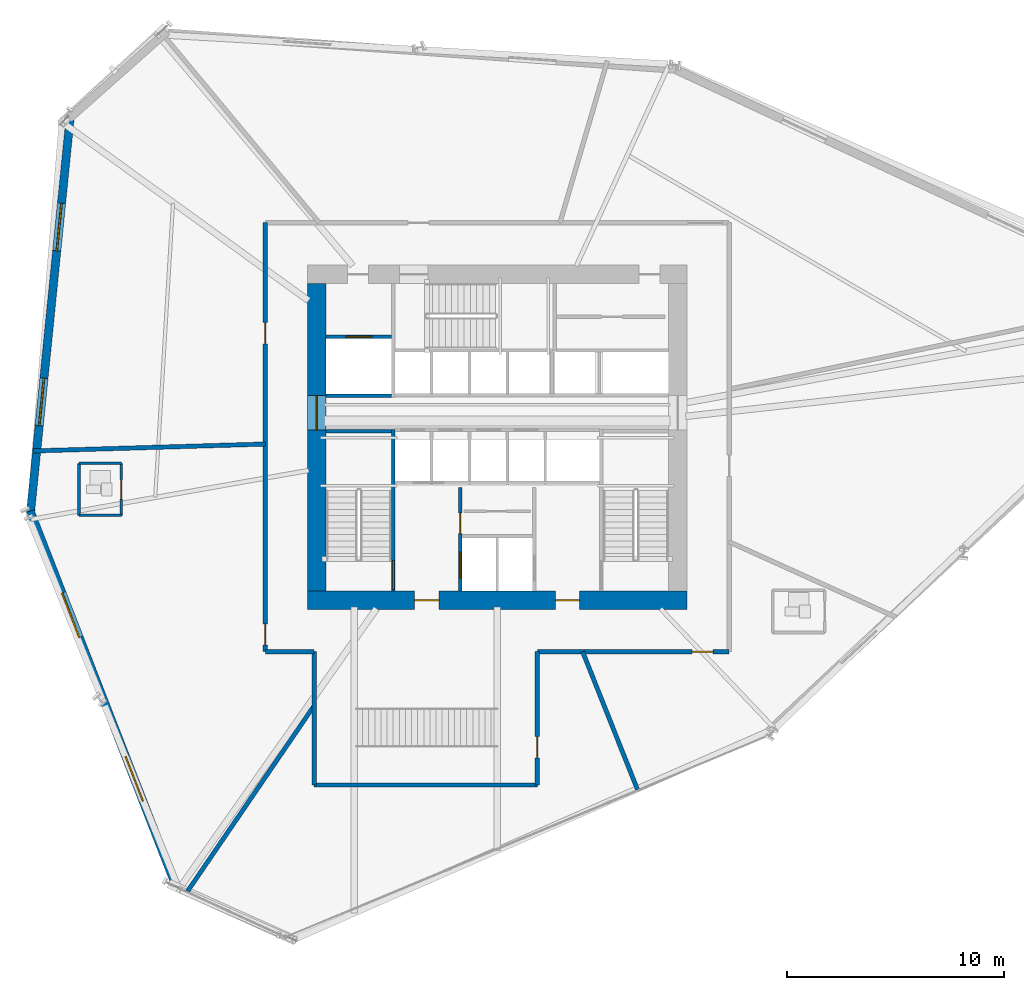
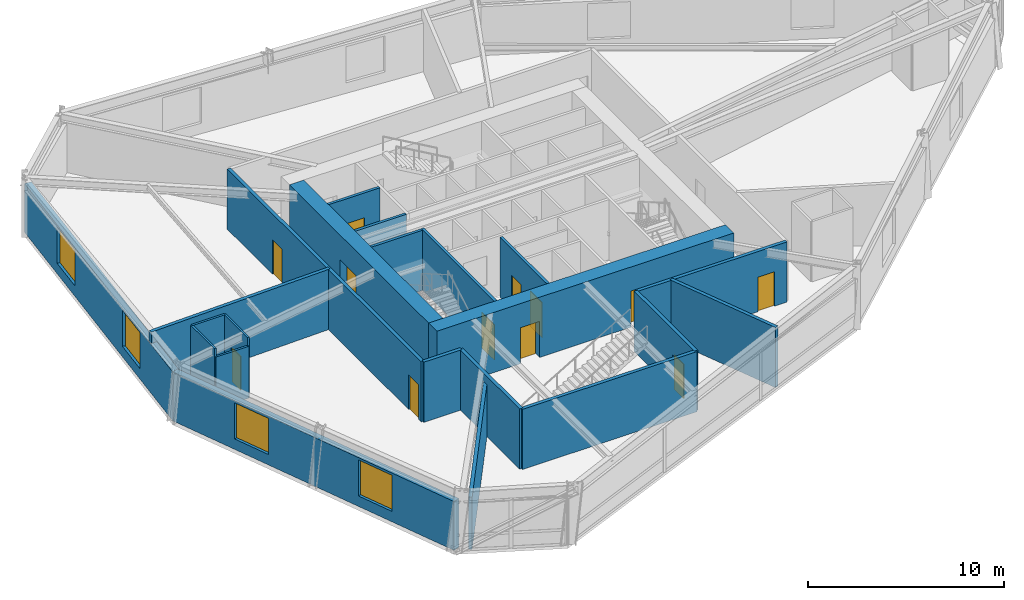
# One storey, part 13 of 19: 22 walls, 12 doors, 4 windows, 16 openings.
"""IFC4 building model written with IfcOpenShell, lengths in metres."""

import ifcopenshell
import ifcopenshell.guid

model = None  # the IFC model being written
_history = None  # IfcOwnerHistory: only IFC2X3 demands one
_inside = {}  # id of a spatial element -> (the spatial element, [elements in it])
_under = {}  # id of a project, library or spatial element -> (it, [spatial elements below it])
_declared = {}  # id of a project -> (the project, [libraries it declares])
_typed = {}  # id of a type object -> (the type object, [elements of that type])
_made_of = {}  # id of a material, layer set ... -> (it, [elements and type objects made of it])


def new_model(schema):
    """Start an empty IFC model of exactly this schema.

    Asked for "IFC4X3", IfcOpenShell would pick the latest addendum, in which some entities
    have other attributes; the version numbers below select the first issue.
    IFC2X3 requires an IfcOwnerHistory on every rooted entity: one is made here for all.
    """
    global model, _history
    if schema == "IFC4X3":
        model = ifcopenshell.file(schema_version=(4, 3, 0, 0))
    else:
        model = ifcopenshell.file(schema=schema)
    _inside.clear()
    _under.clear()
    _declared.clear()
    _typed.clear()
    _made_of.clear()
    _history = None
    if model.schema == "IFC2X3":
        org = make("IfcOrganization", Name="unknown")
        user = make(
            "IfcPersonAndOrganization",
            ThePerson=make("IfcPerson", FamilyName="unknown"),
            TheOrganization=org,
        )
        app = make(
            "IfcApplication",
            ApplicationDeveloper=org,
            Version="unknown",
            ApplicationFullName="unknown",
            ApplicationIdentifier="unknown",
        )
        _history = make(
            "IfcOwnerHistory",
            OwningUser=user,
            OwningApplication=app,
            ChangeAction="ADDED",
            CreationDate=0,
        )
    return model


def make(cls, **values):
    """One entity of the class cls with the attributes given. An attribute that is None is left unset."""
    return model.create_entity(
        cls, **{name: value for name, value in values.items() if value is not None}
    )


def rooted(cls, **values):
    """An entity with a GlobalId (a new one), such as an element, a storey or a relation."""
    return make(cls, GlobalId=ifcopenshell.guid.new(), OwnerHistory=_history, **values)


def si_unit(unit_type, name, prefix=None):
    """IfcSIUnit, for example si_unit("LENGTHUNIT", "METRE", prefix="MILLI")."""
    return make("IfcSIUnit", UnitType=unit_type, Prefix=prefix, Name=name)


def assignment(units):
    """IfcUnitAssignment: the units of a project."""
    return None if units is None else make("IfcUnitAssignment", Units=units)


def point(xyz):
    """IfcCartesianPoint."""
    return None if xyz is None else make("IfcCartesianPoint", Coordinates=xyz)


def direction(xyz):
    """IfcDirection."""
    return None if xyz is None else make("IfcDirection", DirectionRatios=xyz)


def frame(location, z_axis=None, x_axis=None):
    """IfcAxis2Placement3D, a coordinate frame: its origin and axes. An axis left out is left unset."""
    return make(
        "IfcAxis2Placement3D",
        Location=point(location),
        Axis=direction(z_axis),
        RefDirection=direction(x_axis),
    )


def frame_2d(location, x_axis=None):
    """IfcAxis2Placement2D, a coordinate frame in the plane: its origin and x axis."""
    return make(
        "IfcAxis2Placement2D", Location=point(location), RefDirection=direction(x_axis)
    )


def origin():
    """The frame at (0, 0, 0) with its axes left unset."""
    return frame((0.0, 0.0, 0.0))


def place(relative_to, where):
    """IfcLocalPlacement: puts the frame where relative to a parent placement (None: the world)."""
    return make(
        "IfcLocalPlacement", PlacementRelTo=relative_to, RelativePlacement=where
    )


def context(
    kind, dimensions, precision=None, world=None, true_north=None, identifier=None
):
    """IfcGeometricRepresentationContext, for example the 3D "Model" context."""
    return make(
        "IfcGeometricRepresentationContext",
        ContextIdentifier=identifier,
        ContextType=kind,
        CoordinateSpaceDimension=dimensions,
        Precision=precision,
        WorldCoordinateSystem=world,
        TrueNorth=true_north,
    )


def subcontext(parent, identifier, kind, view, scale=None):
    """IfcGeometricRepresentationSubContext, for example "Body" below "Model"."""
    return make(
        "IfcGeometricRepresentationSubContext",
        ContextIdentifier=identifier,
        ContextType=kind,
        ParentContext=parent,
        TargetScale=scale,
        TargetView=view,
    )


def project(units=None, contexts=None):
    """IfcProject with its units and contexts."""
    return rooted(
        "IfcProject",
        Name="project",
        RepresentationContexts=contexts,
        UnitsInContext=assignment(units),
    )


def spatial(cls, under=None, at=None, **own):
    """A site, building, storey or space (cls), placed at a placement, below another one or the project."""
    s = rooted(cls, ObjectPlacement=at, **own)
    if under is not None:
        _under.setdefault(under.id(), (under, []))[1].append(s)
    return s


def profile(cls, at=None, kind="AREA", **sizes):
    """A parametric profile (cls). Its sizes go by their IFC names, for example OverallWidth=200.0."""
    return make(cls, ProfileType=kind, Position=at, **sizes)


def rectangle(**sizes):
    """IfcRectangleProfileDef."""
    return profile("IfcRectangleProfileDef", **sizes)


def extrude(swept, where, along, depth):
    """IfcExtrudedAreaSolid: the profile swept, set in the frame where, extruded along a direction by depth."""
    return make(
        "IfcExtrudedAreaSolid",
        SweptArea=swept,
        Position=where,
        ExtrudedDirection=direction(along),
        Depth=depth,
    )


def shape(context_of_items, identifier, shape_type, items):
    """IfcShapeRepresentation: the items that make up one representation, for example the "Body"."""
    return make(
        "IfcShapeRepresentation",
        ContextOfItems=context_of_items,
        RepresentationIdentifier=identifier,
        RepresentationType=shape_type,
        Items=items,
    )


def source(mapping_origin, context_of_items, identifier, shape_type, items):
    """IfcRepresentationMap: a shape defined once, which mapped items show again and again."""
    return make(
        "IfcRepresentationMap",
        MappingOrigin=mapping_origin,
        MappedRepresentation=shape(context_of_items, identifier, shape_type, items),
    )


def transform(
    local_origin,
    x_axis=None,
    y_axis=None,
    z_axis=None,
    scale=None,
    scale2=None,
    scale3=None,
    uniform=True,
):
    """IfcCartesianTransformationOperator3D, or its non-uniform kind. x_axis, y_axis, z_axis: its Axis1, 2, 3."""
    if uniform:
        return make(
            "IfcCartesianTransformationOperator3D",
            Axis1=direction(x_axis),
            Axis2=direction(y_axis),
            LocalOrigin=point(local_origin),
            Scale=scale,
            Axis3=direction(z_axis),
        )
    return make(
        "IfcCartesianTransformationOperator3DnonUniform",
        Axis1=direction(x_axis),
        Axis2=direction(y_axis),
        LocalOrigin=point(local_origin),
        Scale=scale,
        Axis3=direction(z_axis),
        Scale2=scale2,
        Scale3=scale3,
    )


def mapped(mapping_source, mapping_target):
    """IfcMappedItem: shows the shape of a source again, moved by a transform."""
    return make(
        "IfcMappedItem", MappingSource=mapping_source, MappingTarget=mapping_target
    )


def material(Name=None, Category=None):
    """IfcMaterial."""
    return make("IfcMaterial", Name=Name, Category=Category)


def layer(
    of_material, thickness, ventilated=None, Name=None, Category=None, Priority=None
):
    """IfcMaterialLayer: one layer of a wall or slab, of a material (None: an air gap)."""
    return make(
        "IfcMaterialLayer",
        Material=of_material,
        LayerThickness=thickness,
        IsVentilated=ventilated,
        Name=Name,
        Category=Category,
        Priority=Priority,
    )


def layer_set(layers, Name=None):
    """IfcMaterialLayerSet."""
    return make("IfcMaterialLayerSet", MaterialLayers=layers, LayerSetName=Name)


def made_of(thing, what):
    """Note that an element or type object is made of a material, layer set ...; save() writes the relation."""
    if what is not None:
        _made_of.setdefault(what.id(), (what, []))[1].append(thing)
    return thing


def type_object(cls, material=None, **own):
    """A type object (cls), such as IfcWallType, which elements share."""
    return made_of(rooted(cls, **own), material)


def type_shapes(of_type, sources):
    """Give a type object the sources (RepresentationMaps) that its elements show as mapped items."""
    of_type.RepresentationMaps = sources


def element(
    cls,
    number,
    at=None,
    inside=None,
    cuts=None,
    type_object=None,
    material=None,
    context=None,
    identifier="Body",
    shape_type=None,
    held_by="IfcProductDefinitionShape",
    body=None,
    shapes=None,
    **own,
):
    """One element of the class cls, such as IfcWall. Its Tag is "e" and its number.

    at: its placement. inside: the storey or other place that contains it. cuts: it is an
    opening in that element (IfcRelVoidsElement). A single representation is given by context,
    identifier, shape_type and body (its items); several are given by shapes. held_by: the class
    of the entity that holds the representations. save() writes the other relations.
    """
    e = rooted(cls, Tag="e%d" % number, ObjectPlacement=at, **own)
    if body is not None:
        shapes = [shape(context, identifier, shape_type, body)]
    if shapes is not None:
        e.Representation = make(held_by, Representations=shapes)
    if inside is not None:
        _inside.setdefault(inside.id(), (inside, []))[1].append(e)
    if cuts is not None:
        rooted(
            "IfcRelVoidsElement", RelatingBuildingElement=cuts, RelatedOpeningElement=e
        )
    if type_object is not None:
        _typed.setdefault(type_object.id(), (type_object, []))[1].append(e)
    return made_of(e, material)


def fill(opening, filler):
    """IfcRelFillsElement: the door or window that sits in an opening."""
    return rooted(
        "IfcRelFillsElement",
        RelatingOpeningElement=opening,
        RelatedBuildingElement=filler,
    )


def aggregate(whole, parts):
    """IfcRelAggregates: a whole, such as a stair, and the parts it consists of."""
    return rooted("IfcRelAggregates", RelatingObject=whole, RelatedObjects=parts)


def save(model, path):
    """Write the relations noted so far, then the file.

    IfcRelAggregates (storeys below a building ...), IfcRelContainedInSpatialStructure (elements
    in a storey), IfcRelDefinesByType, IfcRelAssociatesMaterial and IfcRelDeclares: one each for
    every whole, place, type object, material and project.
    """
    for whole, parts in _under.values():
        aggregate(whole, parts)
    for where, things in _inside.values():
        rooted(
            "IfcRelContainedInSpatialStructure",
            RelatedElements=things,
            RelatingStructure=where,
        )
    for kind, things in _typed.values():
        rooted("IfcRelDefinesByType", RelatedObjects=things, RelatingType=kind)
    for what, things in _made_of.values():
        rooted("IfcRelAssociatesMaterial", RelatedObjects=things, RelatingMaterial=what)
    for by, libraries in _declared.values():
        rooted("IfcRelDeclares", RelatingContext=by, RelatedDefinitions=libraries)
    model.write(path)


model = new_model("IFC4")

# Units and contexts
model_context = context("Model", 3, precision=1e-05, world=origin(), true_north=direction((0.0, 1.0)))
body_context = subcontext(model_context, "Body", "Model", "MODEL_VIEW")
ifc_project = project(units=[si_unit("LENGTHUNIT", "METRE"), si_unit("AREAUNIT", "SQUARE_METRE"), si_unit("VOLUMEUNIT", "CUBIC_METRE"), si_unit("PLANEANGLEUNIT", "RADIAN"), si_unit("MASSUNIT", "GRAM", prefix="KILO")], contexts=[model_context])

# Site, building, storey
site_placement = place(None, origin())
site = spatial("IfcSite", under=ifc_project, at=site_placement, CompositionType="ELEMENT")
building_placement = place(site_placement, origin())
building = spatial("IfcBuilding", under=site, at=building_placement, Name="Olszyna Solenne Hotel", CompositionType="ELEMENT")
storey_placement = place(building_placement, frame((0.0, 0.0, 71.89990234375)))
storey = spatial("IfcBuildingStorey", under=building, at=storey_placement, Name="L18", CompositionType="ELEMENT", Elevation=71.89990234375)

# Wall, openings, doors
ifc_material_1 = material(Name="Concrete C60/75", Category="concrete")
ifc_layer_1 = layer(ifc_material_1, 0.85009765625, Name="Concrete C60/75")
ifc_layer_set_1 = layer_set([ifc_layer_1], Name="Concrete C60/75")
wall_type_1 = type_object("IfcWallType", Name="WL-CR850", PredefinedType="SHEAR", material=ifc_layer_set_1)
wall_1_placement = place(storey_placement, frame((46.75, 19.074951171875, 0.0), z_axis=(0.0, 0.0, 1.0), x_axis=(-1.0, 0.0, 0.0)))
wall_1 = element("IfcWall", 1, at=wall_1_placement, inside=storey, type_object=wall_type_1, Name="Core shear wall WL-CR850 CRW-L18-S", PredefinedType="SHEAR", context=body_context, shape_type="SweptSolid", body=[
    extrude(rectangle(XDim=17.5, YDim=0.85009765625, at=frame_2d((8.75, 0.0))), origin(), (0.0, 0.0, 1.0), 3.75),
])
opening_1_placement = place(wall_1_placement, frame((4.949951171875, 0.0, 0.0)))
opening_1 = element("IfcOpeningElement", 2, at=opening_1_placement, cuts=wall_1, Name="Opening FL-L18-1", PredefinedType="OPENING", context=body_context, shape_type="SweptSolid", body=[
    extrude(rectangle(XDim=1.1201171875, YDim=2.25, at=frame_2d((0.56005859375, 1.125))), frame((0.0, 0.43505859375, 0.0), z_axis=(0.0, -1.0, 0.0), x_axis=(1.0, 0.0, 0.0)), (0.0, 0.0, 1.0), 0.8701171875),
])
opening_2_placement = place(wall_1_placement, frame((11.449951171875, 0.0, 0.0)))
opening_2 = element("IfcOpeningElement", 3, at=opening_2_placement, cuts=wall_1, Name="Opening FL-L18-2", PredefinedType="OPENING", context=body_context, shape_type="SweptSolid", body=[
    extrude(rectangle(XDim=1.1201171875, YDim=2.25, at=frame_2d((0.56005859375, 1.125))), frame((0.0, 0.43505859375, 0.0), z_axis=(0.0, -1.0, 0.0), x_axis=(1.0, 0.0, 0.0)), (0.0, 0.0, 1.0), 0.8701171875),
])
ifc_material_2 = material(Name="Steel S355J2", Category="steel")
door_type_1 = type_object("IfcDoorType", Name="DR-FL1", OperationType="NOTDEFINED", PredefinedType="DOOR", material=ifc_material_2)
shared_shape_1 = source(origin(), body_context, "Body", "SweptSolid", [
    extrude(rectangle(XDim=1.1201171875, YDim=2.25, at=frame_2d((0.56005859375, 1.125))), frame((0.0, 0.02490234375, 0.0), z_axis=(0.0, -1.0, 0.0), x_axis=(1.0, 0.0, 0.0)), (0.0, 0.0, 1.0), 0.050048828125),
])
type_shapes(door_type_1, [shared_shape_1])
door_1_placement = place(opening_1_placement, origin())
door_1 = element("IfcDoor", 4, at=door_1_placement, inside=storey, type_object=door_type_1, Name="Firefighting lift lobby smoke door FL-L18-1", OperationType="SINGLE_SWING_LEFT", OverallHeight=2.25, OverallWidth=1.1201171875, PredefinedType="DOOR", context=body_context, shape_type="MappedRepresentation", body=[
    mapped(shared_shape_1, transform((0.0, 0.0, 0.0), x_axis=(1.0, 0.0, 0.0), y_axis=(0.0, 1.0, 0.0), z_axis=(0.0, 0.0, 1.0), scale=1.0)),
])
fill(opening_1, door_1)
door_2_placement = place(opening_2_placement, origin())
door_2 = element("IfcDoor", 5, at=door_2_placement, inside=storey, type_object=door_type_1, Name="Firefighting lift lobby smoke door FL-L18-2", OperationType="SINGLE_SWING_RIGHT", OverallHeight=2.25, OverallWidth=1.1201171875, PredefinedType="DOOR", context=body_context, shape_type="MappedRepresentation", body=[
    mapped(shared_shape_1, transform((0.0, 0.0, 0.0), x_axis=(1.0, 0.0, 0.0), y_axis=(0.0, 1.0, 0.0), z_axis=(0.0, 0.0, 1.0), scale=1.0)),
])
fill(opening_2, door_2)

# Wall, opening, door
wall_2_placement = place(storey_placement, frame((29.675048828125, 19.5, 0.0), z_axis=(0.0, 0.0, 1.0), x_axis=(0.0, 1.0, 0.0)))
wall_2 = element("IfcWall", 6, at=wall_2_placement, inside=storey, type_object=wall_type_1, Name="Core shear wall WL-CR850 CRW-L18-W", PredefinedType="SHEAR", context=body_context, shape_type="SweptSolid", body=[
    extrude(rectangle(XDim=14.199951171875, YDim=0.85009765625, at=frame_2d((7.10009765625, 0.0))), origin(), (0.0, 0.0, 1.0), 3.75),
])
opening_3_placement = place(wall_2_placement, frame((7.419921875, 0.0, 0.0)))
opening_3 = element("IfcOpeningElement", 7, at=opening_3_placement, cuts=wall_2, Name="Opening LHD-L18-W", PredefinedType="OPENING", context=body_context, shape_type="SweptSolid", body=[
    extrude(rectangle(XDim=1.60009765625, YDim=2.199951171875, at=frame_2d((0.800048828125, 1.10009765625))), frame((0.0, 0.43505859375, 0.0), z_axis=(0.0, -1.0, 0.0), x_axis=(1.0, 0.0, 0.0)), (0.0, 0.0, 1.0), 0.8701171875),
])
ifc_material_3 = material(Name="Timber hardwood", Category="wood")
door_type_2 = type_object("IfcDoorType", Name="DR-CR1", OperationType="DOUBLE_DOOR_SINGLE_SWING", PredefinedType="DOOR", material=ifc_material_3)
shared_shape_2 = source(origin(), body_context, "Body", "SweptSolid", [
    extrude(rectangle(XDim=1.60009765625, YDim=2.199951171875, at=frame_2d((0.800048828125, 1.10009765625))), frame((0.0, 0.02490234375, 0.0), z_axis=(0.0, -1.0, 0.0), x_axis=(1.0, 0.0, 0.0)), (0.0, 0.0, 1.0), 0.050048828125),
])
type_shapes(door_type_2, [shared_shape_2])
door_3_placement = place(opening_3_placement, origin())
door_3 = element("IfcDoor", 8, at=door_3_placement, inside=storey, type_object=door_type_2, Name="Passenger lift lobby West fire door LHD-L18-W", OperationType="DOUBLE_DOOR_SINGLE_SWING", OverallHeight=2.199951171875, OverallWidth=1.60009765625, PredefinedType="DOOR", context=body_context, shape_type="MappedRepresentation", body=[
    mapped(shared_shape_2, transform((0.0, 0.0, 0.0), x_axis=(1.0, 0.0, 0.0), y_axis=(0.0, 1.0, 0.0), z_axis=(0.0, 0.0, 1.0), scale=1.0)),
])
fill(opening_3, door_3)

# Wall, openings, windows
ifc_material_4 = material(Name="Terracotta cladding on precast concrete C45/55", Category="masonry")
ifc_layer_2 = layer(ifc_material_4, 0.3798828125, Name="Terracotta cladding on precast concrete C45/55")
ifc_layer_set_2 = layer_set([ifc_layer_2], Name="Terracotta cladding on precast concrete C45/55")
wall_type_2 = type_object("IfcWallType", Name="WL-EX380", PredefinedType="SOLIDWALL", material=ifc_layer_set_2)
wall_3_placement = place(storey_placement, frame((23.116455078125, 6.028076171875, 0.0), z_axis=(0.0, 0.0, 1.0), x_axis=(-0.362290127774, 0.932065375023, 0.0)))
wall_3 = element("IfcWall", 9, at=wall_3_placement, inside=storey, type_object=wall_type_2, Name="Exterior terracotta-precast frame wall WL-EX380 EW-L18-03", PredefinedType="SOLIDWALL", context=body_context, shape_type="SweptSolid", body=[
    extrude(rectangle(XDim=18.412353515625, YDim=0.3798828125, at=frame_2d((9.2060546875, 0.0))), origin(), (0.0, 0.0, 1.0), 3.0419921875),
])
opening_4_placement = place(wall_3_placement, frame((4.055908203125, 0.0, 0.64990234375)))
opening_4 = element("IfcOpeningElement", 10, at=opening_4_placement, cuts=wall_3, Name="Opening WN-L18-085", PredefinedType="OPENING", context=body_context, shape_type="SweptSolid", body=[
    extrude(rectangle(XDim=2.199951171875, YDim=2.25, at=frame_2d((1.10009765625, 1.125))), frame((0.0, 0.199951171875, 0.0), z_axis=(0.0, -1.0, 0.0), x_axis=(1.0, 0.0, 0.0)), (0.0, 0.0, 1.0), 0.39990234375),
])
opening_5_placement = place(wall_3_placement, frame((12.156982421875, 0.0, 0.64990234375)))
opening_5 = element("IfcOpeningElement", 11, at=opening_5_placement, cuts=wall_3, Name="Opening WN-L18-086", PredefinedType="OPENING", context=body_context, shape_type="SweptSolid", body=[
    extrude(rectangle(XDim=2.199951171875, YDim=2.25, at=frame_2d((1.10009765625, 1.125))), frame((0.0, 0.199951171875, 0.0), z_axis=(0.0, -1.0, 0.0), x_axis=(1.0, 0.0, 0.0)), (0.0, 0.0, 1.0), 0.39990234375),
])
ifc_material_5 = material(Name="Low-E triple glazing", Category="glass")
window_type = type_object("IfcWindowType", Name="WN-HT2", PartitioningType="SINGLE_PANEL", PredefinedType="WINDOW", material=ifc_material_5)
shared_shape_3 = source(origin(), body_context, "Body", "SweptSolid", [
    extrude(rectangle(XDim=2.199951171875, YDim=2.25, at=frame_2d((1.10009765625, 1.125))), frame((0.0, 0.030029296875, 0.0), z_axis=(0.0, -1.0, 0.0), x_axis=(1.0, 0.0, 0.0)), (0.0, 0.0, 1.0), 0.06005859375),
])
type_shapes(window_type, [shared_shape_3])
window_1_placement = place(opening_4_placement, origin())
window_1 = element("IfcWindow", 12, at=window_1_placement, inside=storey, type_object=window_type, Name="Exterior facade window WN-HT2 WN-L18-085", OverallHeight=2.25, OverallWidth=2.199951171875, PartitioningType="SINGLE_PANEL", PredefinedType="WINDOW", context=body_context, shape_type="MappedRepresentation", body=[
    mapped(shared_shape_3, transform((0.0, 0.0, 0.0), x_axis=(1.0, 0.0, 0.0), y_axis=(0.0, 1.0, 0.0), z_axis=(0.0, 0.0, 1.0), scale=1.0)),
])
fill(opening_4, window_1)
window_2_placement = place(opening_5_placement, origin())
window_2 = element("IfcWindow", 13, at=window_2_placement, inside=storey, type_object=window_type, Name="Exterior facade window WN-HT2 WN-L18-086", OverallHeight=2.25, OverallWidth=2.199951171875, PartitioningType="SINGLE_PANEL", PredefinedType="WINDOW", context=body_context, shape_type="MappedRepresentation", body=[
    mapped(shared_shape_3, transform((0.0, 0.0, 0.0), x_axis=(1.0, 0.0, 0.0), y_axis=(0.0, 1.0, 0.0), z_axis=(0.0, 0.0, 1.0), scale=1.0)),
])
fill(opening_5, window_2)

wall_4_placement = place(storey_placement, frame((16.457763671875, 23.10205078125, 0.0), z_axis=(0.0, 0.0, 1.0), x_axis=(0.099977641191, 0.994989683998, 0.0)))
wall_4 = element("IfcWall", 14, at=wall_4_placement, inside=storey, type_object=wall_type_2, Name="Exterior terracotta-precast frame wall WL-EX380 EW-L18-04", PredefinedType="SOLIDWALL", context=body_context, shape_type="SweptSolid", body=[
    extrude(rectangle(XDim=18.412353515625, YDim=0.3798828125, at=frame_2d((9.2060546875, 0.0))), origin(), (0.0, 0.0, 1.0), 3.0419921875),
])
opening_6_placement = place(wall_4_placement, frame((4.054931640625, 0.0, 0.64990234375)))
opening_6 = element("IfcOpeningElement", 15, at=opening_6_placement, cuts=wall_4, Name="Opening WN-L18-087", PredefinedType="OPENING", context=body_context, shape_type="SweptSolid", body=[
    extrude(rectangle(XDim=2.199951171875, YDim=2.25, at=frame_2d((1.10009765625, 1.125))), frame((0.0, 0.199951171875, 0.0), z_axis=(0.0, -1.0, 0.0), x_axis=(1.0, 0.0, 0.0)), (0.0, 0.0, 1.0), 0.39990234375),
])
opening_7_placement = place(wall_4_placement, frame((12.156982421875, 0.0, 0.64990234375)))
opening_7 = element("IfcOpeningElement", 16, at=opening_7_placement, cuts=wall_4, Name="Opening WN-L18-088", PredefinedType="OPENING", context=body_context, shape_type="SweptSolid", body=[
    extrude(rectangle(XDim=2.199951171875, YDim=2.25, at=frame_2d((1.10009765625, 1.125))), frame((0.0, 0.199951171875, 0.0), z_axis=(0.0, -1.0, 0.0), x_axis=(1.0, 0.0, 0.0)), (0.0, 0.0, 1.0), 0.39990234375),
])
window_3_placement = place(opening_6_placement, origin())
window_3 = element("IfcWindow", 17, at=window_3_placement, inside=storey, type_object=window_type, Name="Exterior facade window WN-HT2 WN-L18-087", OverallHeight=2.25, OverallWidth=2.199951171875, PartitioningType="SINGLE_PANEL", PredefinedType="WINDOW", context=body_context, shape_type="MappedRepresentation", body=[
    mapped(shared_shape_3, transform((0.0, 0.0, 0.0), x_axis=(1.0, 0.0, 0.0), y_axis=(0.0, 1.0, 0.0), z_axis=(0.0, 0.0, 1.0), scale=1.0)),
])
fill(opening_6, window_3)
window_4_placement = place(opening_7_placement, origin())
window_4 = element("IfcWindow", 18, at=window_4_placement, inside=storey, type_object=window_type, Name="Exterior facade window WN-HT2 WN-L18-088", OverallHeight=2.25, OverallWidth=2.199951171875, PartitioningType="SINGLE_PANEL", PredefinedType="WINDOW", context=body_context, shape_type="MappedRepresentation", body=[
    mapped(shared_shape_3, transform((0.0, 0.0, 0.0), x_axis=(1.0, 0.0, 0.0), y_axis=(0.0, 1.0, 0.0), z_axis=(0.0, 0.0, 1.0), scale=1.0)),
])
fill(opening_7, window_4)

# Wall, opening, door
ifc_material_6 = material(Name="Acoustic gypsum partition", Category="gypsum")
ifc_layer_3 = layer(ifc_material_6, 0.125, Name="Acoustic gypsum partition")
ifc_layer_set_3 = layer_set([ifc_layer_3], Name="Acoustic gypsum partition")
wall_type_3 = type_object("IfcWallType", Name="WL-PT125", PredefinedType="PARTITIONING", material=ifc_layer_set_3)
wall_5_placement = place(storey_placement, frame((20.652099609375, 22.992919921875, 0.0), z_axis=(0.0, 0.0, 1.0), x_axis=(0.0, 1.0, 0.0)))
wall_5 = element("IfcWall", 19, at=wall_5_placement, inside=storey, type_object=wall_type_3, Name="Interior acoustic partition WL-PT125 PW-L18-1031", PredefinedType="PARTITIONING", context=body_context, shape_type="SweptSolid", body=[
    extrude(rectangle(XDim=2.400146484375, YDim=0.125, at=frame_2d((1.2001953125, 0.0))), origin(), (0.0, 0.0, 1.0), 3.75),
])
opening_8_placement = place(wall_5_placement, frame((0.75, 0.0, 0.0)))
opening_8 = element("IfcOpeningElement", 20, at=opening_8_placement, cuts=wall_5, Name="Opening DR-L18-0235", PredefinedType="OPENING", context=body_context, shape_type="SweptSolid", body=[
    extrude(rectangle(XDim=0.89990234375, YDim=2.10009765625, at=frame_2d((0.449951171875, 1.050048828125))), frame((0.0, 0.072509765625, 0.0), z_axis=(0.0, -1.0, 0.0), x_axis=(1.0, 0.0, 0.0)), (0.0, 0.0, 1.0), 0.14501953125),
])
door_type_3 = type_object("IfcDoorType", Name="DR-WC1", OperationType="NOTDEFINED", PredefinedType="DOOR", material=ifc_material_3)
shared_shape_4 = source(origin(), body_context, "Body", "SweptSolid", [
    extrude(rectangle(XDim=0.89990234375, YDim=2.10009765625, at=frame_2d((0.449951171875, 1.050048828125))), frame((0.0, 0.02490234375, 0.0), z_axis=(0.0, -1.0, 0.0), x_axis=(1.0, 0.0, 0.0)), (0.0, 0.0, 1.0), 0.050048828125),
])
type_shapes(door_type_3, [shared_shape_4])
door_4_placement = place(opening_8_placement, origin())
door_4 = element("IfcDoor", 21, at=door_4_placement, inside=storey, type_object=door_type_3, Name="En-Suite Bathroom Door DR-L18-0235", OperationType="SINGLE_SWING_LEFT", OverallHeight=2.10009765625, OverallWidth=0.89990234375, PredefinedType="DOOR", context=body_context, shape_type="MappedRepresentation", body=[
    mapped(shared_shape_4, transform((0.0, 0.0, 0.0), x_axis=(1.0, 0.0, 0.0), y_axis=(0.0, 1.0, 0.0), z_axis=(0.0, 0.0, 1.0), scale=1.0)),
])
fill(opening_8, door_4)

# Walls
wall_6_placement = place(storey_placement, frame((20.652099609375, 25.39306640625, 0.0), z_axis=(0.0, 0.0, 1.0), x_axis=(-1.0, 0.0, 0.0)))
element("IfcWall", 22, at=wall_6_placement, inside=storey, type_object=wall_type_3, Name="Interior acoustic partition WL-PT125 PW-L18-1032", PredefinedType="PARTITIONING", context=body_context, shape_type="SweptSolid", body=[
    extrude(rectangle(XDim=1.9501953125, YDim=0.125, at=frame_2d((0.97509765625, 0.0))), origin(), (0.0, 0.0, 1.0), 3.75),
])
wall_7_placement = place(storey_placement, frame((18.701904296875, 25.39306640625, 0.0), z_axis=(0.0, 0.0, 1.0), x_axis=(0.0, -1.0, 0.0)))
element("IfcWall", 23, at=wall_7_placement, inside=storey, type_object=wall_type_3, Name="Interior acoustic partition WL-PT125 PW-L18-1033", PredefinedType="PARTITIONING", context=body_context, shape_type="SweptSolid", body=[
    extrude(rectangle(XDim=2.400146484375, YDim=0.125, at=frame_2d((1.2001953125, 0.0))), origin(), (0.0, 0.0, 1.0), 3.75),
])
wall_8_placement = place(storey_placement, frame((18.701904296875, 22.992919921875, 0.0), z_axis=(0.0, 0.0, 1.0), x_axis=(1.0, 0.0, 0.0)))
element("IfcWall", 24, at=wall_8_placement, inside=storey, type_object=wall_type_3, Name="Interior acoustic partition WL-PT125 PW-L18-1034", PredefinedType="PARTITIONING", context=body_context, shape_type="SweptSolid", body=[
    extrude(rectangle(XDim=1.9501953125, YDim=0.125, at=frame_2d((0.97509765625, 0.0))), origin(), (0.0, 0.0, 1.0), 3.235107421875),
])

# Wall, opening, door
ifc_layer_4 = layer(ifc_material_6, 0.159912109375, Name="Acoustic gypsum partition")
ifc_layer_set_4 = layer_set([ifc_layer_4], Name="Acoustic gypsum partition")
wall_type_4 = type_object("IfcWallType", Name="WL-PT160", PredefinedType="PARTITIONING", material=ifc_layer_set_4)
wall_9_placement = place(storey_placement, frame((33.199951171875, 19.5, 0.0), z_axis=(0.0, 0.0, 1.0), x_axis=(0.0, 1.0, 0.0)))
wall_9 = element("IfcWall", 25, at=wall_9_placement, inside=storey, type_object=wall_type_4, Name="Core shaft compartment wall CW-L18-ST1E", PredefinedType="PARTITIONING", context=body_context, shape_type="SweptSolid", body=[
    extrude(rectangle(XDim=7.4599609375, YDim=0.159912109375, at=frame_2d((3.72998046875, 0.0))), origin(), (0.0, 0.0, 1.0), 3.75),
])
opening_9_placement = place(wall_9_placement, frame((0.080078125, 0.0, 0.0)))
opening_9 = element("IfcOpeningElement", 26, at=opening_9_placement, cuts=wall_9, Name="Opening STD-L18-01", PredefinedType="OPENING", context=body_context, shape_type="SweptSolid", body=[
    extrude(rectangle(XDim=1.320068359375, YDim=2.199951171875, at=frame_2d((0.66015625, 1.10009765625))), frame((0.0, 0.08984375, 0.0), z_axis=(0.0, -1.0, 0.0), x_axis=(1.0, 0.0, 0.0)), (0.0, 0.0, 1.0), 0.179931640625),
])
door_type_4 = type_object("IfcDoorType", Name="DR-ST1", OperationType="NOTDEFINED", PredefinedType="DOOR", material=ifc_material_2)
shared_shape_5 = source(origin(), body_context, "Body", "SweptSolid", [
    extrude(rectangle(XDim=1.320068359375, YDim=2.199951171875, at=frame_2d((0.66015625, 1.10009765625))), frame((0.0, 0.02490234375, 0.0), z_axis=(0.0, -1.0, 0.0), x_axis=(1.0, 0.0, 0.0)), (0.0, 0.0, 1.0), 0.050048828125),
])
type_shapes(door_type_4, [shared_shape_5])
door_5_placement = place(opening_9_placement, origin())
door_5 = element("IfcDoor", 27, at=door_5_placement, inside=storey, type_object=door_type_4, Name="Pressurised exit stair ST1 fire door STD-L18-01", OperationType="SINGLE_SWING_LEFT", OverallHeight=2.199951171875, OverallWidth=1.320068359375, PredefinedType="DOOR", context=body_context, shape_type="MappedRepresentation", body=[
    mapped(shared_shape_5, transform((0.0, 0.0, 0.0), x_axis=(1.0, 0.0, 0.0), y_axis=(0.0, 1.0, 0.0), z_axis=(0.0, 0.0, 1.0), scale=1.0)),
])
fill(opening_9, door_5)

# Wall
wall_10_placement = place(storey_placement, frame((30.10009765625, 26.8798828125, 0.0), z_axis=(0.0, 0.0, 1.0), x_axis=(1.0, 0.0, 0.0)))
element("IfcWall", 28, at=wall_10_placement, inside=storey, type_object=wall_type_4, Name="Core shaft compartment wall CW-L18-ST1N", PredefinedType="PARTITIONING", context=body_context, shape_type="SweptSolid", body=[
    extrude(rectangle(XDim=3.02001953125, YDim=0.159912109375, at=frame_2d((1.510009765625, 0.0))), origin(), (0.0, 0.0, 1.0), 3.75),
])

# Wall, openings, doors
wall_11_placement = place(storey_placement, frame((36.300048828125, 19.5, 0.0), z_axis=(0.0, 0.0, 1.0), x_axis=(0.0, 1.0, 0.0)))
wall_11 = element("IfcWall", 29, at=wall_11_placement, inside=storey, type_object=wall_type_4, Name="Core shaft compartment wall CW-L18-FF1W", PredefinedType="PARTITIONING", context=body_context, shape_type="SweptSolid", body=[
    extrude(rectangle(XDim=4.780029296875, YDim=0.159912109375, at=frame_2d((2.39013671875, 0.0))), origin(), (0.0, 0.0, 1.0), 3.75),
])
opening_10_placement = place(wall_11_placement, frame((0.60009765625, 0.0, 0.0)))
opening_10 = element("IfcOpeningElement", 30, at=opening_10_placement, cuts=wall_11, Name="Opening LD-L18-FF1", PredefinedType="OPENING", context=body_context, shape_type="SweptSolid", body=[
    extrude(rectangle(XDim=1.199951171875, YDim=2.199951171875, at=frame_2d((0.60009765625, 1.10009765625))), frame((0.0, 0.08984375, 0.0), z_axis=(0.0, -1.0, 0.0), x_axis=(1.0, 0.0, 0.0)), (0.0, 0.0, 1.0), 0.179931640625),
])
opening_11_placement = place(wall_11_placement, frame((2.64990234375, 0.0, 0.0)))
opening_11 = element("IfcOpeningElement", 31, at=opening_11_placement, cuts=wall_11, Name="Opening SVD-L18-SMK", PredefinedType="OPENING", context=body_context, shape_type="SweptSolid", body=[
    extrude(rectangle(XDim=0.949951171875, YDim=2.10009765625, at=frame_2d((0.47509765625, 1.050048828125))), frame((0.0, 0.08984375, 0.0), z_axis=(0.0, -1.0, 0.0), x_axis=(1.0, 0.0, 0.0)), (0.0, 0.0, 1.0), 0.179931640625),
])
door_type_5 = type_object("IfcDoorType", Name="DR-SV1", OperationType="NOTDEFINED", PredefinedType="DOOR", material=ifc_material_2)
shared_shape_6 = source(origin(), body_context, "Body", "SweptSolid", [
    extrude(rectangle(XDim=0.949951171875, YDim=2.10009765625, at=frame_2d((0.47509765625, 1.050048828125))), frame((0.0, 0.02490234375, 0.0), z_axis=(0.0, -1.0, 0.0), x_axis=(1.0, 0.0, 0.0)), (0.0, 0.0, 1.0), 0.050048828125),
])
type_shapes(door_type_5, [shared_shape_6])
door_6_placement = place(opening_11_placement, origin())
door_6 = element("IfcDoor", 32, at=door_6_placement, inside=storey, type_object=door_type_5, Name="Valet and core service room door SVD-L18-SMK", OperationType="SINGLE_SWING_LEFT", OverallHeight=2.10009765625, OverallWidth=0.949951171875, PredefinedType="DOOR", context=body_context, shape_type="MappedRepresentation", body=[
    mapped(shared_shape_6, transform((0.0, 0.0, 0.0), x_axis=(1.0, 0.0, 0.0), y_axis=(0.0, 1.0, 0.0), z_axis=(0.0, 0.0, 1.0), scale=1.0)),
])
fill(opening_11, door_6)
door_type_6 = type_object("IfcDoorType", Name="LD-FF1", OperationType="DOUBLE_DOOR_SLIDING", PredefinedType="DOOR", material=ifc_material_2)
shared_shape_7 = source(origin(), body_context, "Body", "SweptSolid", [
    extrude(rectangle(XDim=1.199951171875, YDim=2.199951171875, at=frame_2d((0.60009765625, 1.10009765625))), frame((0.0, 0.02490234375, 0.0), z_axis=(0.0, -1.0, 0.0), x_axis=(1.0, 0.0, 0.0)), (0.0, 0.0, 1.0), 0.050048828125),
])
type_shapes(door_type_6, [shared_shape_7])
door_7_placement = place(opening_10_placement, origin())
door_7 = element("IfcDoor", 33, at=door_7_placement, inside=storey, type_object=door_type_6, Name="Firefighters lift FF1 sliding landing door LD-L18-FF1", OperationType="DOUBLE_DOOR_SLIDING", OverallHeight=2.199951171875, OverallWidth=1.199951171875, PredefinedType="DOOR", context=body_context, shape_type="MappedRepresentation", body=[
    mapped(shared_shape_7, transform((0.0, 0.0, 0.0), x_axis=(1.0, 0.0, 0.0), y_axis=(0.0, 1.0, 0.0), z_axis=(0.0, 0.0, 1.0), scale=1.0)),
])
fill(opening_10, door_7)

# Wall
wall_12_placement = place(storey_placement, frame((30.10009765625, 28.52001953125, 0.0), z_axis=(0.0, 0.0, 1.0), x_axis=(1.0, 0.0, 0.0)))
element("IfcWall", 34, at=wall_12_placement, inside=storey, type_object=wall_type_4, Name="Core shaft compartment wall CW-L18-SV1S", PredefinedType="PARTITIONING", context=body_context, shape_type="SweptSolid", body=[
    extrude(rectangle(XDim=3.02001953125, YDim=0.159912109375, at=frame_2d((1.510009765625, 0.0))), origin(), (0.0, 0.0, 1.0), 3.75),
])

# Wall, opening, door
wall_13_placement = place(storey_placement, frame((30.10009765625, 31.239990234375, 0.0), z_axis=(0.0, 0.0, 1.0), x_axis=(1.0, 0.0, 0.0)))
wall_13 = element("IfcWall", 35, at=wall_13_placement, inside=storey, type_object=wall_type_4, Name="Core shaft compartment wall CW-L18-SV1N", PredefinedType="PARTITIONING", context=body_context, shape_type="SweptSolid", body=[
    extrude(rectangle(XDim=3.02001953125, YDim=0.159912109375, at=frame_2d((1.510009765625, 0.0))), origin(), (0.0, 0.0, 1.0), 3.75),
])
opening_12_placement = place(wall_13_placement, frame((0.909912109375, 0.0, 0.0)))
opening_12 = element("IfcOpeningElement", 36, at=opening_12_placement, cuts=wall_13, Name="Opening LD-L18-SV1", PredefinedType="OPENING", context=body_context, shape_type="SweptSolid", body=[
    extrude(rectangle(XDim=1.199951171875, YDim=2.199951171875, at=frame_2d((0.60009765625, 1.10009765625))), frame((0.0, 0.08984375, 0.0), z_axis=(0.0, -1.0, 0.0), x_axis=(1.0, 0.0, 0.0)), (0.0, 0.0, 1.0), 0.179931640625),
])
door_8_placement = place(opening_12_placement, origin())
door_8 = element("IfcDoor", 37, at=door_8_placement, inside=storey, type_object=door_type_6, Name="Service lift SV1 sliding landing door LD-L18-SV1", OperationType="DOUBLE_DOOR_SLIDING", OverallHeight=2.199951171875, OverallWidth=1.199951171875, PredefinedType="DOOR", context=body_context, shape_type="MappedRepresentation", body=[
    mapped(shared_shape_7, transform((0.0, 0.0, 0.0), x_axis=(1.0, 0.0, 0.0), y_axis=(0.0, 1.0, 0.0), z_axis=(0.0, 0.0, 1.0), scale=1.0)),
])
fill(opening_12, door_8)

# Walls
ifc_layer_5 = layer(ifc_material_6, 0.199951171875, Name="Acoustic gypsum partition")
ifc_layer_set_5 = layer_set([ifc_layer_5], Name="Acoustic gypsum partition")
wall_type_5 = type_object("IfcWallType", Name="WL-PT200", PredefinedType="PARTITIONING", material=ifc_layer_set_5)
wall_14_placement = place(storey_placement, frame((27.300048828125, 26.282470703125, 0.0), z_axis=(0.0, 0.0, 1.0), x_axis=(-0.999559606693, -0.029674781671, 0.0)))
element("IfcWall", 38, at=wall_14_placement, inside=storey, type_object=wall_type_5, Name="Interior acoustic partition WL-PT200 PW-L18-1027", PredefinedType="PARTITIONING", context=body_context, shape_type="SweptSolid", body=[
    extrude(rectangle(XDim=10.719970703125, YDim=0.199951171875, at=frame_2d((5.35986328125, 0.0))), origin(), (0.0, 0.0, 1.0), 3.75),
])
wall_15_placement = place(storey_placement, frame((29.550048828125, 14.212890625, 0.0), z_axis=(0.0, 0.0, 1.0), x_axis=(-0.563519334803, -0.826102874528, 0.0)))
element("IfcWall", 39, at=wall_15_placement, inside=storey, type_object=wall_type_5, Name="Interior acoustic partition WL-PT200 PW-L18-1028", PredefinedType="PARTITIONING", context=body_context, shape_type="SweptSolid", body=[
    extrude(rectangle(XDim=10.376220703125, YDim=0.199951171875, at=frame_2d((5.18798828125, 0.0))), origin(), (0.0, 0.0, 1.0), 3.2451171875),
])
wall_16_placement = place(storey_placement, frame((41.939697265625, 16.699951171875, 0.0), z_axis=(0.0, 0.0, 1.0), x_axis=(0.369724051114, -0.929141607091, 0.0)))
element("IfcWall", 40, at=wall_16_placement, inside=storey, type_object=wall_type_5, Name="Interior acoustic partition WL-PT200 PW-L18-1029", PredefinedType="PARTITIONING", context=body_context, shape_type="SweptSolid", body=[
    extrude(rectangle(XDim=6.846923828125, YDim=0.199951171875, at=frame_2d((3.42333984375, 0.0))), origin(), (0.0, 0.0, 1.0), 3.75),
])
wall_17_placement = place(storey_placement, frame((27.300048828125, 16.699951171875, 0.0), z_axis=(0.0, 0.0, 1.0), x_axis=(1.0, 0.0, 0.0)))
element("IfcWall", 41, at=wall_17_placement, inside=storey, type_object=wall_type_5, Name="Interior acoustic partition WL-PT200 PW-L18-1043", PredefinedType="PARTITIONING", context=body_context, shape_type="SweptSolid", body=[
    extrude(rectangle(XDim=2.25, YDim=0.199951171875, at=frame_2d((1.125, 0.0))), origin(), (0.0, 0.0, 1.0), 3.75),
])

# Wall, opening, door
wall_18_placement = place(storey_placement, frame((39.85009765625, 16.699951171875, 0.0), z_axis=(0.0, 0.0, 1.0), x_axis=(1.0, 0.0, 0.0)))
wall_18 = element("IfcWall", 42, at=wall_18_placement, inside=storey, type_object=wall_type_5, Name="Interior acoustic partition WL-PT200 PW-L18-1044", PredefinedType="PARTITIONING", context=body_context, shape_type="SweptSolid", body=[
    extrude(rectangle(XDim=8.849853515625, YDim=0.199951171875, at=frame_2d((4.4248046875, 0.0))), origin(), (0.0, 0.0, 1.0), 3.75),
])
opening_13_placement = place(wall_18_placement, frame((7.135009765625, 0.0, 0.0)))
opening_13 = element("IfcOpeningElement", 43, at=opening_13_placement, cuts=wall_18, Name="Opening DR-L18-0238", PredefinedType="OPENING", context=body_context, shape_type="SweptSolid", body=[
    extrude(rectangle(XDim=0.97998046875, YDim=2.14990234375, at=frame_2d((0.489990234375, 1.074951171875))), frame((0.0, 0.10986328125, 0.0), z_axis=(0.0, -1.0, 0.0), x_axis=(1.0, 0.0, 0.0)), (0.0, 0.0, 1.0), 0.219970703125),
])
door_type_7 = type_object("IfcDoorType", Name="DR-RM1", OperationType="NOTDEFINED", PredefinedType="DOOR", material=ifc_material_3)
shared_shape_8 = source(origin(), body_context, "Body", "SweptSolid", [
    extrude(rectangle(XDim=0.97998046875, YDim=2.14990234375, at=frame_2d((0.489990234375, 1.074951171875))), frame((0.0, 0.02490234375, 0.0), z_axis=(0.0, -1.0, 0.0), x_axis=(1.0, 0.0, 0.0)), (0.0, 0.0, 1.0), 0.050048828125),
])
type_shapes(door_type_7, [shared_shape_8])
door_9_placement = place(opening_13_placement, origin())
door_9 = element("IfcDoor", 44, at=door_9_placement, inside=storey, type_object=door_type_7, Name="Botanical Atrium Suite Entrance Door DR-L18-0238", OperationType="SINGLE_SWING_RIGHT", OverallHeight=2.14990234375, OverallWidth=0.97998046875, PredefinedType="DOOR", context=body_context, shape_type="MappedRepresentation", body=[
    mapped(shared_shape_8, transform((0.0, 0.0, 0.0), x_axis=(1.0, 0.0, 0.0), y_axis=(0.0, 1.0, 0.0), z_axis=(0.0, 0.0, 1.0), scale=1.0)),
])
fill(opening_13, door_9)

# Wall, openings, doors
wall_19_placement = place(storey_placement, frame((27.300048828125, 16.699951171875, 0.0), z_axis=(0.0, 0.0, 1.0), x_axis=(0.0, 1.0, 0.0)))
wall_19 = element("IfcWall", 45, at=wall_19_placement, inside=storey, type_object=wall_type_5, Name="Interior acoustic partition WL-PT200 PW-L18-1045", PredefinedType="PARTITIONING", context=body_context, shape_type="SweptSolid", body=[
    extrude(rectangle(XDim=19.800048828125, YDim=0.199951171875, at=frame_2d((9.89990234375, 0.0))), origin(), (0.0, 0.0, 1.0), 3.75),
])
opening_14_placement = place(wall_19_placement, frame((14.199951171875, 0.0, 0.0)))
opening_14 = element("IfcOpeningElement", 46, at=opening_14_placement, cuts=wall_19, Name="Opening DR-L18-0239", PredefinedType="OPENING", context=body_context, shape_type="SweptSolid", body=[
    extrude(rectangle(XDim=0.97998046875, YDim=2.14990234375, at=frame_2d((0.489990234375, 1.074951171875))), frame((0.0, 0.10986328125, 0.0), z_axis=(0.0, -1.0, 0.0), x_axis=(1.0, 0.0, 0.0)), (0.0, 0.0, 1.0), 0.219970703125),
])
opening_15_placement = place(wall_19_placement, frame((0.300048828125, 0.0, 0.0)))
opening_15 = element("IfcOpeningElement", 47, at=opening_15_placement, cuts=wall_19, Name="Opening DR-L18-0240", PredefinedType="OPENING", context=body_context, shape_type="SweptSolid", body=[
    extrude(rectangle(XDim=0.97998046875, YDim=2.14990234375, at=frame_2d((0.489990234375, 1.074951171875))), frame((0.0, 0.10986328125, 0.0), z_axis=(0.0, -1.0, 0.0), x_axis=(1.0, 0.0, 0.0)), (0.0, 0.0, 1.0), 0.219970703125),
])
door_10_placement = place(opening_14_placement, origin())
door_10 = element("IfcDoor", 48, at=door_10_placement, inside=storey, type_object=door_type_7, Name="Botanical Tea Pavilion Entrance Door DR-L18-0239", OperationType="SINGLE_SWING_LEFT", OverallHeight=2.14990234375, OverallWidth=0.97998046875, PredefinedType="DOOR", context=body_context, shape_type="MappedRepresentation", body=[
    mapped(shared_shape_8, transform((0.0, 0.0, 0.0), x_axis=(1.0, 0.0, 0.0), y_axis=(0.0, 1.0, 0.0), z_axis=(0.0, 0.0, 1.0), scale=1.0)),
])
fill(opening_14, door_10)
door_11_placement = place(opening_15_placement, origin())
door_11 = element("IfcDoor", 49, at=door_11_placement, inside=storey, type_object=door_type_7, Name="Horizon Suite Entrance Door DR-L18-0240", OperationType="SINGLE_SWING_RIGHT", OverallHeight=2.14990234375, OverallWidth=0.97998046875, PredefinedType="DOOR", context=body_context, shape_type="MappedRepresentation", body=[
    mapped(shared_shape_8, transform((0.0, 0.0, 0.0), x_axis=(1.0, 0.0, 0.0), y_axis=(0.0, 1.0, 0.0), z_axis=(0.0, 0.0, 1.0), scale=1.0)),
])
fill(opening_15, door_11)

# Wall
wall_20_placement = place(storey_placement, frame((29.550048828125, 10.550048828125, 0.0), z_axis=(0.0, 0.0, 1.0), x_axis=(0.0, 1.0, 0.0)))
element("IfcWall", 50, at=wall_20_placement, inside=storey, type_object=wall_type_5, Name="Interior acoustic partition WL-PT200 PW-L18-1048", PredefinedType="PARTITIONING", context=body_context, shape_type="SweptSolid", body=[
    extrude(rectangle(XDim=6.14990234375, YDim=0.199951171875, at=frame_2d((3.074951171875, 0.0))), origin(), (0.0, 0.0, 1.0), 3.75),
])

# Wall, opening, door
wall_21_placement = place(storey_placement, frame((39.85009765625, 10.550048828125, 0.0), z_axis=(0.0, 0.0, 1.0), x_axis=(0.0, 1.0, 0.0)))
wall_21 = element("IfcWall", 51, at=wall_21_placement, inside=storey, type_object=wall_type_5, Name="Interior acoustic partition WL-PT200 PW-L18-1049", PredefinedType="PARTITIONING", context=body_context, shape_type="SweptSolid", body=[
    extrude(rectangle(XDim=6.14990234375, YDim=0.199951171875, at=frame_2d((3.074951171875, 0.0))), origin(), (0.0, 0.0, 1.0), 3.75),
])
opening_16_placement = place(wall_21_placement, frame((1.25, 0.0, 0.0)))
opening_16 = element("IfcOpeningElement", 52, at=opening_16_placement, cuts=wall_21, Name="Opening DR-L18-0244", PredefinedType="OPENING", context=body_context, shape_type="SweptSolid", body=[
    extrude(rectangle(XDim=0.97998046875, YDim=2.14990234375, at=frame_2d((0.489990234375, 1.074951171875))), frame((0.0, 0.10986328125, 0.0), z_axis=(0.0, -1.0, 0.0), x_axis=(1.0, 0.0, 0.0)), (0.0, 0.0, 1.0), 0.219970703125),
])
door_12_placement = place(opening_16_placement, origin())
door_12 = element("IfcDoor", 53, at=door_12_placement, inside=storey, type_object=door_type_7, Name="Executive Meeting Salon Entrance Door DR-L18-0244", OperationType="SINGLE_SWING_LEFT", OverallHeight=2.14990234375, OverallWidth=0.97998046875, PredefinedType="DOOR", context=body_context, shape_type="MappedRepresentation", body=[
    mapped(shared_shape_8, transform((0.0, 0.0, 0.0), x_axis=(1.0, 0.0, 0.0), y_axis=(0.0, 1.0, 0.0), z_axis=(0.0, 0.0, 1.0), scale=1.0)),
])
fill(opening_16, door_12)

# Wall
wall_22_placement = place(storey_placement, frame((29.550048828125, 10.550048828125, 0.0), z_axis=(0.0, 0.0, 1.0), x_axis=(1.0, 0.0, 0.0)))
element("IfcWall", 54, at=wall_22_placement, inside=storey, type_object=wall_type_5, Name="Interior acoustic partition WL-PT200 PW-L18-1050", PredefinedType="PARTITIONING", context=body_context, shape_type="SweptSolid", body=[
    extrude(rectangle(XDim=10.300048828125, YDim=0.199951171875, at=frame_2d((5.14990234375, 0.0))), origin(), (0.0, 0.0, 1.0), 3.75),
])

save(model, "model.ifc")
